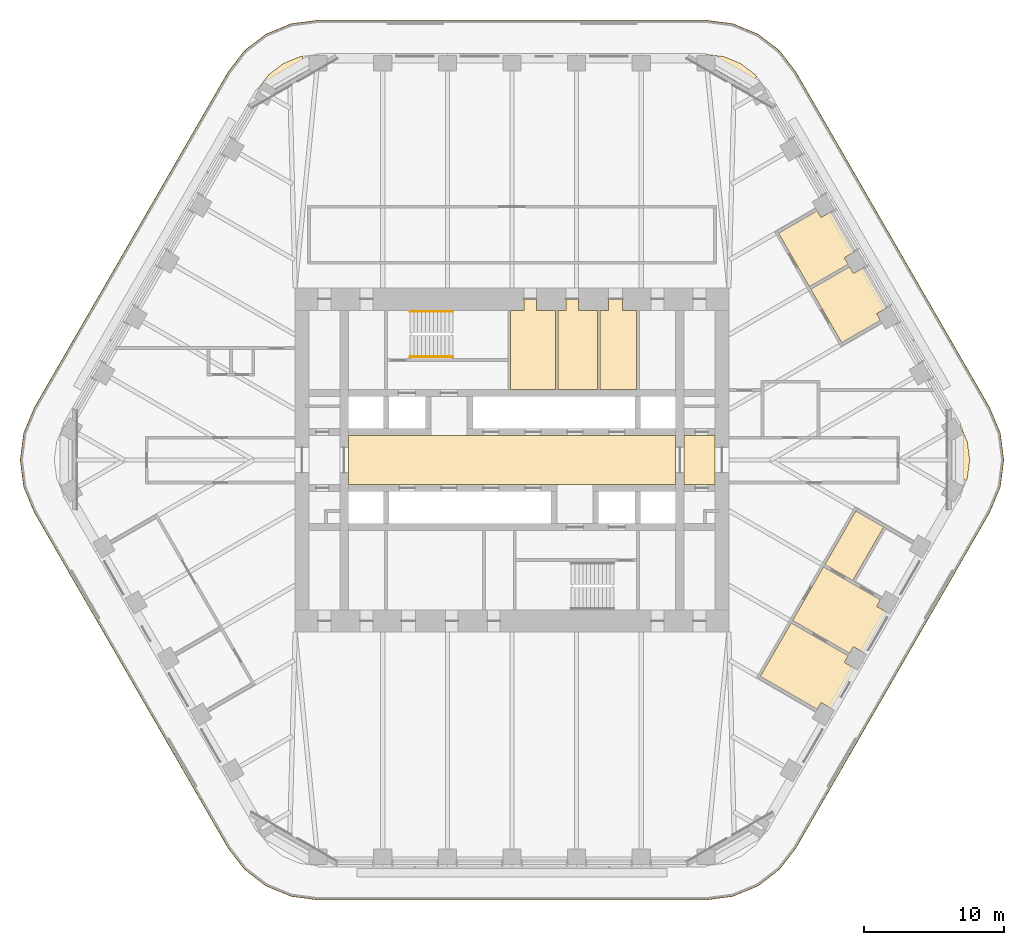
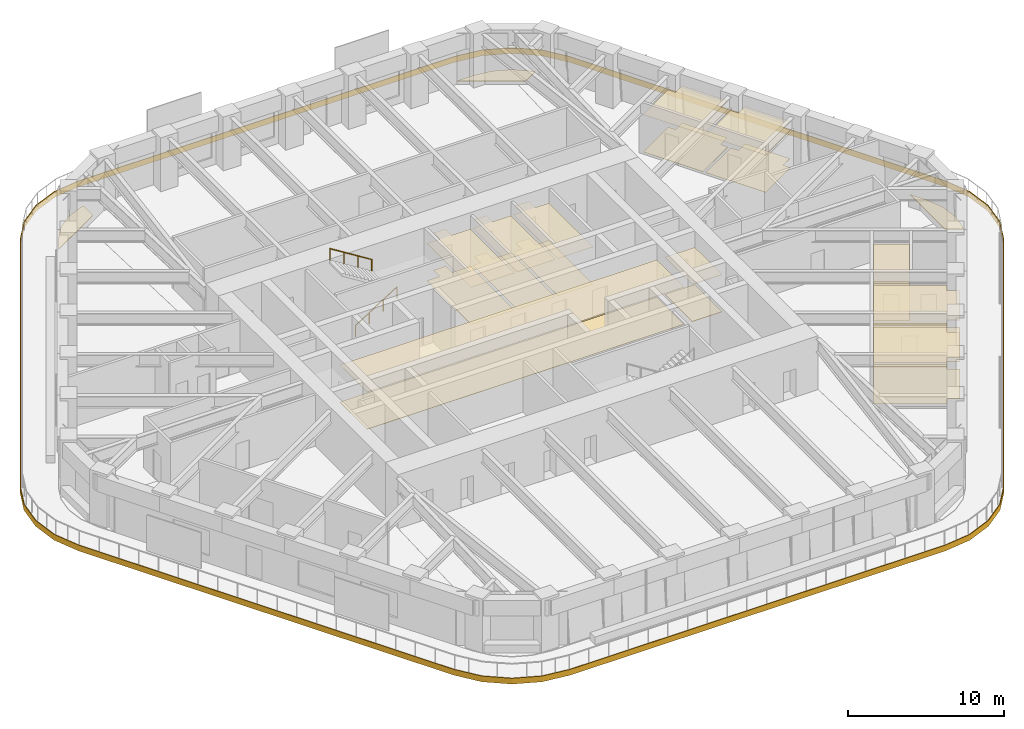
# One storey, part 19 of 20: 16 coverings, 2 railings.
"""IFC4 building model written with IfcOpenShell, lengths in metres."""

from ifc_helpers import new_model, si_unit, direction, frame, origin, origin_2d, place, context, subcontext, project, spatial, polyline, circle, outline, extrude, material, layer, layer_set, type_object, element, save


model = new_model("IFC4")

# Units and contexts
model_context = context("Model", 3, precision=1e-05, world=origin(), true_north=direction((0.0, 1.0)))
body_context = subcontext(model_context, "Body", "Model", "MODEL_VIEW")
ifc_project = project(units=[si_unit("LENGTHUNIT", "METRE"), si_unit("AREAUNIT", "SQUARE_METRE"), si_unit("VOLUMEUNIT", "CUBIC_METRE"), si_unit("PLANEANGLEUNIT", "RADIAN"), si_unit("MASSUNIT", "GRAM", prefix="KILO")], contexts=[model_context])

# Site, building, storey
site_placement = place(None, origin())
site = spatial("IfcSite", under=ifc_project, at=site_placement, CompositionType="ELEMENT")
building_placement = place(site_placement, origin())
building = spatial("IfcBuilding", under=site, at=building_placement, Name="Tarfa Lantern Tower", CompositionType="ELEMENT")
storey_placement = place(building_placement, frame((0.0, 0.0, 244.89990234375)))
storey = spatial("IfcBuildingStorey", under=building, at=storey_placement, Name="L55", CompositionType="ELEMENT", Elevation=244.89990234375)

# Coverings
ifc_material_1 = material(Name="Mineral fibre acoustic tile on suspension grid", Category="finish")
ifc_layer_1 = layer(ifc_material_1, 0.02001953125)
ifc_layer_set_1 = layer_set([ifc_layer_1], Name="CL1 ACOUSTIC TILE CEILING 20")
covering_type_1 = type_object("IfcCoveringType", Name="CL1 ACOUSTIC TILE CEILING 20", PredefinedType="CEILING", material=ifc_layer_set_1)
covering_1_placement = place(storey_placement, frame((0.0, 0.0, 2.900146484375)))
element("IfcCovering", 1, at=covering_1_placement, inside=storey, type_object=covering_type_1, Name="Ceiling L55 CL1", PredefinedType="CEILING", context=body_context, shape_type="SweptSolid", body=[
    extrude(outline(polyline([(21.354248046875, 12.21337890625), (24.12548828125, 13.8134765625), (24.400390625, 13.337158203125), (25.13671875, 13.761962890625), (26.796142578125, 10.887939453125), (26.059814453125, 10.462890625), (26.3349609375, 9.986572265625), (23.563720703125, 8.38671875), (21.354248046875, 12.21337890625)])), origin(), (0.0, 0.0, 1.0), 0.02001953125),
    extrude(outline(polyline([(19.044921875, 16.21337890625), (21.816162109375, 17.8134765625), (22.091064453125, 17.337158203125), (22.8271484375, 17.761962890625), (24.486572265625, 14.887939453125), (23.75048828125, 14.462890625), (24.025390625, 13.986572265625), (21.254150390625, 12.38671875), (19.044921875, 16.21337890625)])), origin(), (0.0, 0.0, 1.0), 0.02001953125),
    extrude(outline(polyline([(19.955078125, -11.63671875), (24.025390625, -13.986572265625), (23.75048828125, -14.462890625), (24.486572265625, -14.887939453125), (22.8271484375, -17.761962890625), (22.091064453125, -17.337158203125), (21.816162109375, -17.8134765625), (17.745849609375, -15.46337890625), (19.955078125, -11.63671875)])), origin(), (0.0, 0.0, 1.0), 0.02001953125),
    extrude(outline(polyline([(22.2646484375, -7.63671875), (26.3349609375, -9.986572265625), (26.059814453125, -10.462890625), (26.796142578125, -10.887939453125), (25.13671875, -13.761962890625), (24.400390625, -13.337158203125), (24.12548828125, -13.8134765625), (20.05517578125, -11.46337890625), (22.2646484375, -7.63671875)])), origin(), (0.0, 0.0, 1.0), 0.02001953125),
    extrude(outline(polyline([(24.573974609375, -3.63671875), (26.56591796875, -4.78662109375), (24.3564453125, -8.61328125), (22.364501953125, -7.46337890625), (24.573974609375, -3.63671875)])), origin(), (0.0, 0.0, 1.0), 0.02001953125),
])
ifc_material_2 = material(Name="Moisture-resistant plasterboard", Category="finish")
ifc_layer_2 = layer(ifc_material_2, 0.014892578125)
ifc_layer_set_2 = layer_set([ifc_layer_2], Name="CL2 MOISTURE-RESISTANT PLASTERBOARD CEILING 15")
covering_type_2 = type_object("IfcCoveringType", Name="CL2 MOISTURE-RESISTANT PLASTERBOARD CEILING 15", PredefinedType="CEILING", material=ifc_layer_set_2)
covering_2_placement = place(storey_placement, frame((0.0, 0.0, 2.900146484375)))
element("IfcCovering", 2, at=covering_2_placement, inside=storey, type_object=covering_type_2, Name="Ceiling L55-07", PredefinedType="CEILING", context=body_context, shape_type="SweptSolid", body=[
    extrude(outline(polyline([(0.85009765625, 10.699951171875), (-0.10009765625, 10.699951171875), (-0.10009765625, 5.050048828125), (3.10009765625, 5.050048828125), (3.10009765625, 10.699951171875), (1.75, 10.699951171875), (1.75, 11.5), (0.85009765625, 11.5), (0.85009765625, 10.699951171875)])), origin(), (0.0, 0.0, 1.0), 0.014892578125),
])
covering_3_placement = place(storey_placement, frame((0.0, 0.0, 2.900146484375)))
element("IfcCovering", 3, at=covering_3_placement, inside=storey, type_object=covering_type_2, Name="Ceiling L55-08", PredefinedType="CEILING", context=body_context, shape_type="SweptSolid", body=[
    extrude(outline(polyline([(3.300048828125, 5.050048828125), (6.10009765625, 5.050048828125), (6.10009765625, 10.699951171875), (4.75, 10.699951171875), (4.75, 11.5), (3.85009765625, 11.5), (3.85009765625, 10.699951171875), (3.300048828125, 10.699951171875), (3.300048828125, 5.050048828125)])), origin(), (0.0, 0.0, 1.0), 0.014892578125),
])
covering_4_placement = place(storey_placement, frame((0.0, 0.0, 2.900146484375)))
element("IfcCovering", 4, at=covering_4_placement, inside=storey, type_object=covering_type_2, Name="Ceiling L55-09", PredefinedType="CEILING", context=body_context, shape_type="SweptSolid", body=[
    extrude(outline(polyline([(6.300048828125, 5.050048828125), (8.89990234375, 5.050048828125), (8.89990234375, 10.699951171875), (7.89990234375, 10.699951171875), (7.89990234375, 11.5), (6.89990234375, 11.5), (6.89990234375, 10.699951171875), (6.300048828125, 10.699951171875), (6.300048828125, 5.050048828125)])), origin(), (0.0, 0.0, 1.0), 0.014892578125),
])
ifc_material_3 = material(Name="Powder-coated aluminium panel", Category="aluminium")
ifc_layer_3 = layer(ifc_material_3, 0.030029296875)
ifc_layer_set_3 = layer_set([ifc_layer_3], Name="CL3 METAL PANEL CEILING 30")
covering_type_3 = type_object("IfcCoveringType", Name="CL3 METAL PANEL CEILING 30", PredefinedType="CEILING", material=ifc_layer_set_3)
covering_5_placement = place(storey_placement, frame((0.0, 0.0, 2.900146484375)))
element("IfcCovering", 5, at=covering_5_placement, inside=storey, type_object=covering_type_3, Name="Ceiling L55-02", PredefinedType="CEILING", context=body_context, shape_type="SweptSolid", body=[
    extrude(outline(polyline([(-11.699951171875, -1.75), (11.699951171875, -1.75), (11.699951171875, 1.75), (-11.699951171875, 1.75), (-11.699951171875, -1.75)])), origin(), (0.0, 0.0, 1.0), 0.030029296875),
])
covering_6_placement = place(storey_placement, frame((0.0, 0.0, 2.900146484375)))
element("IfcCovering", 6, at=covering_6_placement, inside=storey, type_object=covering_type_3, Name="Ceiling L55-03", PredefinedType="CEILING", context=body_context, shape_type="SweptSolid", body=[
    extrude(outline(polyline([(12.300048828125, -1.75), (14.5, -1.75), (14.5, 1.75), (12.300048828125, 1.75), (12.300048828125, -1.75)])), origin(), (0.0, 0.0, 1.0), 0.030029296875),
])
ifc_material_4 = material(Name="Nylon carpet tile", Category="finish")
ifc_layer_4 = layer(ifc_material_4, 0.010009765625)
ifc_layer_set_4 = layer_set([ifc_layer_4], Name="FL1 CARPET TILE 10")
covering_type_4 = type_object("IfcCoveringType", Name="FL1 CARPET TILE 10", PredefinedType="FLOORING", material=ifc_layer_set_4)
covering_7_placement = place(storey_placement, origin())
element("IfcCovering", 7, at=covering_7_placement, inside=storey, type_object=covering_type_4, Name="Floor finish L55 FL1", PredefinedType="FLOORING", context=body_context, shape_type="SweptSolid", body=[
    extrude(outline(polyline([(21.354248046875, 12.21337890625), (24.12548828125, 13.8134765625), (24.400390625, 13.337158203125), (25.13671875, 13.761962890625), (26.796142578125, 10.887939453125), (26.059814453125, 10.462890625), (26.3349609375, 9.986572265625), (23.563720703125, 8.38671875), (21.354248046875, 12.21337890625)])), origin(), (0.0, 0.0, 1.0), 0.010009765625),
    extrude(outline(polyline([(19.044921875, 16.21337890625), (21.816162109375, 17.8134765625), (22.091064453125, 17.337158203125), (22.8271484375, 17.761962890625), (24.486572265625, 14.887939453125), (23.75048828125, 14.462890625), (24.025390625, 13.986572265625), (21.254150390625, 12.38671875), (19.044921875, 16.21337890625)])), origin(), (0.0, 0.0, 1.0), 0.010009765625),
    extrude(outline(polyline([(19.955078125, -11.63671875), (24.025390625, -13.986572265625), (23.75048828125, -14.462890625), (24.486572265625, -14.887939453125), (22.8271484375, -17.761962890625), (22.091064453125, -17.337158203125), (21.816162109375, -17.8134765625), (17.745849609375, -15.46337890625), (19.955078125, -11.63671875)])), origin(), (0.0, 0.0, 1.0), 0.010009765625),
    extrude(outline(polyline([(22.2646484375, -7.63671875), (26.3349609375, -9.986572265625), (26.059814453125, -10.462890625), (26.796142578125, -10.887939453125), (25.13671875, -13.761962890625), (24.400390625, -13.337158203125), (24.12548828125, -13.8134765625), (20.05517578125, -11.46337890625), (22.2646484375, -7.63671875)])), origin(), (0.0, 0.0, 1.0), 0.010009765625),
    extrude(outline(polyline([(24.573974609375, -3.63671875), (26.56591796875, -4.78662109375), (24.3564453125, -8.61328125), (22.364501953125, -7.46337890625), (24.573974609375, -3.63671875)])), origin(), (0.0, 0.0, 1.0), 0.010009765625),
])
ifc_material_5 = material(Name="Honed limestone flooring", Category="masonry")
ifc_layer_5 = layer(ifc_material_5, 0.030029296875)
ifc_layer_set_5 = layer_set([ifc_layer_5], Name="FL2 STONE FLOORING 30")
covering_type_5 = type_object("IfcCoveringType", Name="FL2 STONE FLOORING 30", PredefinedType="FLOORING", material=ifc_layer_set_5)
covering_8_placement = place(storey_placement, origin())
element("IfcCovering", 8, at=covering_8_placement, inside=storey, type_object=covering_type_5, Name="Floor finish L55-02", PredefinedType="FLOORING", context=body_context, shape_type="SweptSolid", body=[
    extrude(outline(polyline([(-11.699951171875, -1.75), (11.699951171875, -1.75), (11.699951171875, 1.75), (-11.699951171875, 1.75), (-11.699951171875, -1.75)])), origin(), (0.0, 0.0, 1.0), 0.030029296875),
])
covering_9_placement = place(storey_placement, origin())
element("IfcCovering", 9, at=covering_9_placement, inside=storey, type_object=covering_type_5, Name="Floor finish L55-03", PredefinedType="FLOORING", context=body_context, shape_type="SweptSolid", body=[
    extrude(outline(polyline([(12.300048828125, -1.75), (14.5, -1.75), (14.5, 1.75), (12.300048828125, 1.75), (12.300048828125, -1.75)])), origin(), (0.0, 0.0, 1.0), 0.030029296875),
])
ifc_material_6 = material(Name="Porcelain floor tile", Category="finish")
ifc_layer_6 = layer(ifc_material_6, 0.011962890625)
ifc_layer_set_6 = layer_set([ifc_layer_6], Name="FL3 CERAMIC TILE 12")
covering_type_6 = type_object("IfcCoveringType", Name="FL3 CERAMIC TILE 12", PredefinedType="FLOORING", material=ifc_layer_set_6)
covering_10_placement = place(storey_placement, origin())
element("IfcCovering", 10, at=covering_10_placement, inside=storey, type_object=covering_type_6, Name="Floor finish L55-07", PredefinedType="FLOORING", context=body_context, shape_type="SweptSolid", body=[
    extrude(outline(polyline([(0.85009765625, 10.699951171875), (-0.10009765625, 10.699951171875), (-0.10009765625, 5.050048828125), (3.10009765625, 5.050048828125), (3.10009765625, 10.699951171875), (1.75, 10.699951171875), (1.75, 11.5), (0.85009765625, 11.5), (0.85009765625, 10.699951171875)])), origin(), (0.0, 0.0, 1.0), 0.01220703125),
])
covering_11_placement = place(storey_placement, origin())
element("IfcCovering", 11, at=covering_11_placement, inside=storey, type_object=covering_type_6, Name="Floor finish L55-08", PredefinedType="FLOORING", context=body_context, shape_type="SweptSolid", body=[
    extrude(outline(polyline([(3.300048828125, 5.050048828125), (6.10009765625, 5.050048828125), (6.10009765625, 10.699951171875), (4.75, 10.699951171875), (4.75, 11.5), (3.85009765625, 11.5), (3.85009765625, 10.699951171875), (3.300048828125, 10.699951171875), (3.300048828125, 5.050048828125)])), origin(), (0.0, 0.0, 1.0), 0.01220703125),
])
covering_12_placement = place(storey_placement, origin())
element("IfcCovering", 12, at=covering_12_placement, inside=storey, type_object=covering_type_6, Name="Floor finish L55-09", PredefinedType="FLOORING", context=body_context, shape_type="SweptSolid", body=[
    extrude(outline(polyline([(6.300048828125, 5.050048828125), (8.89990234375, 5.050048828125), (8.89990234375, 10.699951171875), (7.89990234375, 10.699951171875), (7.89990234375, 11.5), (6.89990234375, 11.5), (6.89990234375, 10.699951171875), (6.300048828125, 10.699951171875), (6.300048828125, 5.050048828125)])), origin(), (0.0, 0.0, 1.0), 0.01220703125),
])

# Railings
ifc_material_7 = material(Name="Stainless steel", Category="steel")
railing_type = type_object("IfcRailingType", Name="HR1 HANDRAIL 900", PredefinedType="HANDRAIL", material=ifc_material_7)
railing_1_placement = place(storey_placement, frame((-7.300048828125, 7.3798828125, 0.175048828125)))
element("IfcRailing", 13, at=railing_1_placement, inside=storey, type_object=railing_type, Name="Handrail 1", PredefinedType="HANDRAIL", context=body_context, shape_type="SweptSolid", body=[
    extrude(circle(Radius=0.02392578125, at=origin_2d()), frame((0.0, 0.0, 0.8759765625), z_axis=(0.847998304005, 0.0, 0.529998940003), x_axis=(0.0, 1.0, 0.0)), (0.0, 0.0, 1.0), 3.632080078125),
    extrude(circle(Radius=0.02099609375, at=origin_2d()), frame((0.0, 0.0, 0.0), z_axis=(0.0, 0.0, 1.0), x_axis=(0.0, 1.0, 0.0)), (0.0, 0.0, 1.0), 0.851806640625),
    extrude(circle(Radius=0.02099609375, at=origin_2d()), frame((1.026611328125, 0.0, 0.6416015625), z_axis=(0.0, 0.0, 1.0), x_axis=(0.0, 1.0, 0.0)), (0.0, 0.0, 1.0), 0.851806640625),
    extrude(circle(Radius=0.02099609375, at=origin_2d()), frame((2.053466796875, 0.0, 1.283447265625), z_axis=(0.0, 0.0, 1.0), x_axis=(0.0, 1.0, 0.0)), (0.0, 0.0, 1.0), 0.851806640625),
    extrude(circle(Radius=0.02099609375, at=origin_2d()), frame((3.080078125, 0.0, 1.925048828125), z_axis=(0.0, 0.0, 1.0), x_axis=(0.0, 1.0, 0.0)), (0.0, 0.0, 1.0), 0.851806640625),
])
railing_2_placement = place(storey_placement, frame((-4.219970703125, 10.6201171875, 2.275146484375)))
element("IfcRailing", 14, at=railing_2_placement, inside=storey, type_object=railing_type, Name="Handrail 2", PredefinedType="HANDRAIL", context=body_context, shape_type="SweptSolid", body=[
    extrude(circle(Radius=0.02392578125, at=origin_2d()), frame((0.0, 0.0, 0.8759765625), z_axis=(-0.847998304005, 0.0, 0.529998940003), x_axis=(0.0, -1.0, 0.0)), (0.0, 0.0, 1.0), 3.632080078125),
    extrude(circle(Radius=0.02099609375, at=origin_2d()), frame((0.0, 0.0, 0.0), z_axis=(0.0, 0.0, 1.0), x_axis=(0.0, -1.0, 0.0)), (0.0, 0.0, 1.0), 0.851806640625),
    extrude(circle(Radius=0.02099609375, at=origin_2d()), frame((-1.026611328125, 0.0, 0.6416015625), z_axis=(0.0, 0.0, 1.0), x_axis=(0.0, -1.0, 0.0)), (0.0, 0.0, 1.0), 0.851806640625),
    extrude(circle(Radius=0.02099609375, at=origin_2d()), frame((-2.053466796875, 0.0, 1.283447265625), z_axis=(0.0, 0.0, 1.0), x_axis=(0.0, -1.0, 0.0)), (0.0, 0.0, 1.0), 0.851806640625),
    extrude(circle(Radius=0.02099609375, at=origin_2d()), frame((-3.080078125, 0.0, 1.925048828125), z_axis=(0.0, 0.0, 1.0), x_axis=(0.0, -1.0, 0.0)), (0.0, 0.0, 1.0), 0.851806640625),
])

# Coverings
ifc_material_8 = material(Name="Porcelain pavers on pedestals", Category="ceramic")
ifc_layer_7 = layer(ifc_material_8, 0.0400390625)
ifc_layer_set_7 = layer_set([ifc_layer_7], Name="LP1 LOGGIA PAVING 40")
covering_type_7 = type_object("IfcCoveringType", Name="LP1 LOGGIA PAVING 40", PredefinedType="FLOORING", material=ifc_layer_set_7)
covering_13_placement = place(storey_placement, origin())
element("IfcCovering", 15, at=covering_13_placement, inside=storey, type_object=covering_type_7, Name="Sky garden paving NE-N", PredefinedType="FLOORING", context=body_context, shape_type="SweptSolid", body=[
    extrude(outline(polyline([(15.150390625, 28.82958984375), (16.3564453125, 28.330078125), (17.391845703125, 27.53564453125), (17.51123046875, 27.380126953125), (16.4765625, 26.782958984375), (12.641357421875, 28.997314453125), (12.64306640625, 29.0), (13.8564453125, 29.0), (15.150390625, 28.82958984375)])), origin(), (0.0, 0.0, 1.0), 0.0400390625),
])
covering_14_placement = place(storey_placement, origin())
element("IfcCovering", 16, at=covering_14_placement, inside=storey, type_object=covering_type_7, Name="Sky garden paving N-NW", PredefinedType="FLOORING", context=body_context, shape_type="SweptSolid", body=[
    extrude(outline(polyline([(-17.391845703125, 27.53564453125), (-16.3564453125, 28.330078125), (-15.150390625, 28.82958984375), (-14.956298828125, 28.855224609375), (-14.956298828125, 27.66064453125), (-18.791748046875, 25.4462890625), (-18.793212890625, 25.44921875), (-18.1865234375, 26.5), (-17.391845703125, 27.53564453125)])), origin(), (0.0, 0.0, 1.0), 0.0400390625),
])
covering_15_placement = place(storey_placement, origin())
element("IfcCovering", 17, at=covering_15_placement, inside=storey, type_object=covering_type_7, Name="Sky garden paving SE-NE", PredefinedType="FLOORING", context=body_context, shape_type="SweptSolid", body=[
    extrude(outline(polyline([(32.54248046875, 1.294189453125), (32.712890625, 0.0), (32.54248046875, -1.294189453125), (32.467529296875, -1.474853515625), (31.43310546875, -0.877685546875), (31.43310546875, 3.55078125), (31.436279296875, 3.55078125), (32.04296875, 2.5), (32.54248046875, 1.294189453125)])), origin(), (0.0, 0.0, 1.0), 0.0400390625),
])
ifc_material_9 = material(Name="Limestone cladding on brackets", Category="masonry")
ifc_layer_8 = layer(ifc_material_9, 0.050048828125)
ifc_layer_set_8 = layer_set([ifc_layer_8], Name="SB1 STONE BAND CLADDING 50")
covering_type_8 = type_object("IfcCoveringType", Name="SB1 STONE BAND CLADDING 50", PredefinedType="CLADDING", material=ifc_layer_set_8)
covering_16_placement = place(storey_placement, frame((0.0, 0.0, -0.39990234375)))
element("IfcCovering", 18, at=covering_16_placement, inside=storey, type_object=covering_type_8, Name="Stone band", PredefinedType="CLADDING", context=body_context, shape_type="SweptSolid", body=[
    extrude(outline(polyline([(34.164794921875, 3.72509765625), (20.308349609375, 27.72509765625), (19.124267578125, 29.26806640625), (17.581298828125, 30.451904296875), (15.78466796875, 31.196044921875), (13.8564453125, 31.449951171875), (-13.8564453125, 31.449951171875), (-15.78466796875, 31.196044921875), (-17.581298828125, 30.451904296875), (-19.124267578125, 29.26806640625), (-20.308349609375, 27.72509765625), (-34.164794921875, 3.72509765625), (-34.908935546875, 1.92822265625), (-35.162841796875, 0.0), (-34.908935546875, -1.92822265625), (-34.164794921875, -3.72509765625), (-20.308349609375, -27.72509765625), (-19.124267578125, -29.26806640625), (-17.581298828125, -30.451904296875), (-15.78466796875, -31.196044921875), (-13.8564453125, -31.449951171875), (13.8564453125, -31.449951171875), (15.78466796875, -31.196044921875), (17.581298828125, -30.451904296875), (19.124267578125, -29.26806640625), (20.308349609375, -27.72509765625), (34.164794921875, -3.72509765625), (34.908935546875, -1.92822265625), (35.162841796875, 0.0), (34.908935546875, 1.92822265625), (34.164794921875, 3.72509765625)]), holes=[polyline([(34.121337890625, 3.699951171875), (20.264892578125, 27.699951171875), (19.089111328125, 29.232666015625), (17.556396484375, 30.40869140625), (15.771728515625, 31.14794921875), (13.8564453125, 31.39990234375), (-13.8564453125, 31.39990234375), (-15.771728515625, 31.14794921875), (-17.556396484375, 30.40869140625), (-19.089111328125, 29.232666015625), (-20.264892578125, 27.699951171875), (-34.121337890625, 3.699951171875), (-34.860595703125, 1.915283203125), (-35.11279296875, 0.0), (-34.860595703125, -1.915283203125), (-34.121337890625, -3.699951171875), (-20.264892578125, -27.699951171875), (-19.089111328125, -29.232666015625), (-17.556396484375, -30.40869140625), (-15.771728515625, -31.14794921875), (-13.8564453125, -31.39990234375), (13.8564453125, -31.39990234375), (15.771728515625, -31.14794921875), (17.556396484375, -30.40869140625), (19.089111328125, -29.232666015625), (20.264892578125, -27.699951171875), (34.121337890625, -3.699951171875), (34.860595703125, -1.915283203125), (35.11279296875, 0.0), (34.860595703125, 1.915283203125), (34.121337890625, 3.699951171875)])]), origin(), (0.0, 0.0, 1.0), 0.449951171875),
])

save(model, "model.ifc")
